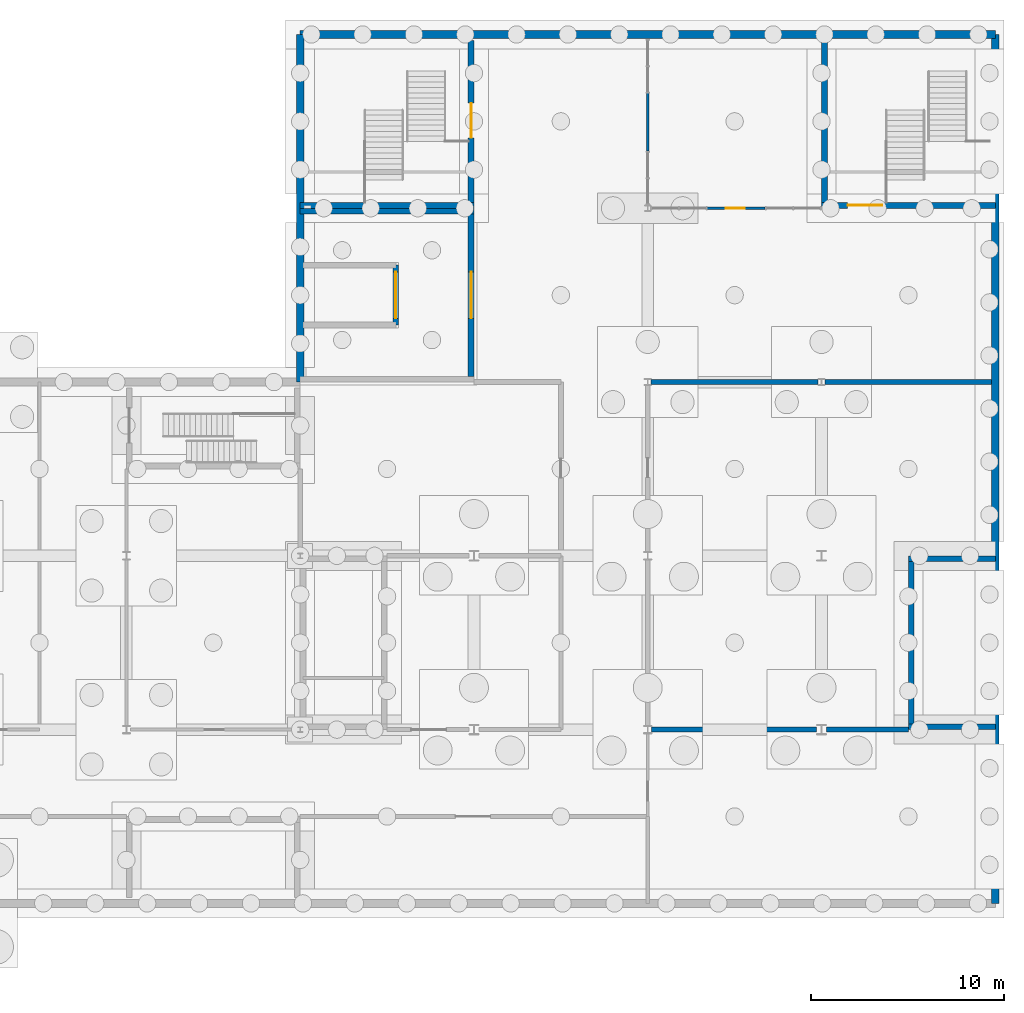
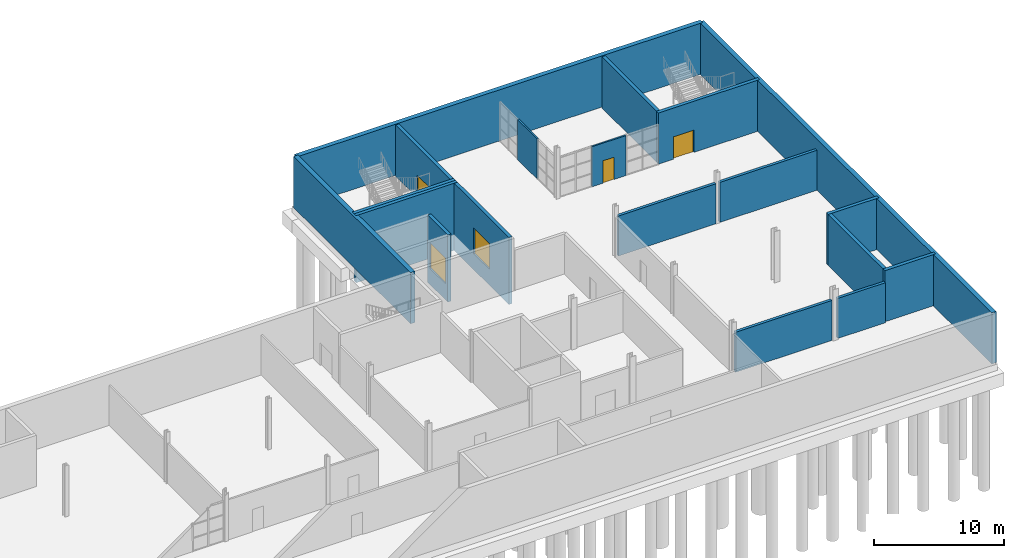
# One storey, part 13 of 17: 19 walls, 5 doors, 5 openings.
"""IFC4 building model written with IfcOpenShell, lengths in metres."""

import ifcopenshell
import ifcopenshell.guid

model = None  # the IFC model being written
_history = None  # IfcOwnerHistory: only IFC2X3 demands one
_inside = {}  # id of a spatial element -> (the spatial element, [elements in it])
_under = {}  # id of a project, library or spatial element -> (it, [spatial elements below it])
_declared = {}  # id of a project -> (the project, [libraries it declares])
_typed = {}  # id of a type object -> (the type object, [elements of that type])
_made_of = {}  # id of a material, layer set ... -> (it, [elements and type objects made of it])


def new_model(schema):
    """Start an empty IFC model of exactly this schema.

    Asked for "IFC4X3", IfcOpenShell would pick the latest addendum, in which some entities
    have other attributes; the version numbers below select the first issue.
    IFC2X3 requires an IfcOwnerHistory on every rooted entity: one is made here for all.
    """
    global model, _history
    if schema == "IFC4X3":
        model = ifcopenshell.file(schema_version=(4, 3, 0, 0))
    else:
        model = ifcopenshell.file(schema=schema)
    _inside.clear()
    _under.clear()
    _declared.clear()
    _typed.clear()
    _made_of.clear()
    _history = None
    if model.schema == "IFC2X3":
        org = make("IfcOrganization", Name="unknown")
        user = make(
            "IfcPersonAndOrganization",
            ThePerson=make("IfcPerson", FamilyName="unknown"),
            TheOrganization=org,
        )
        app = make(
            "IfcApplication",
            ApplicationDeveloper=org,
            Version="unknown",
            ApplicationFullName="unknown",
            ApplicationIdentifier="unknown",
        )
        _history = make(
            "IfcOwnerHistory",
            OwningUser=user,
            OwningApplication=app,
            ChangeAction="ADDED",
            CreationDate=0,
        )
    return model


def make(cls, **values):
    """One entity of the class cls with the attributes given. An attribute that is None is left unset."""
    return model.create_entity(
        cls, **{name: value for name, value in values.items() if value is not None}
    )


def rooted(cls, **values):
    """An entity with a GlobalId (a new one), such as an element, a storey or a relation."""
    return make(cls, GlobalId=ifcopenshell.guid.new(), OwnerHistory=_history, **values)


def si_unit(unit_type, name, prefix=None):
    """IfcSIUnit, for example si_unit("LENGTHUNIT", "METRE", prefix="MILLI")."""
    return make("IfcSIUnit", UnitType=unit_type, Prefix=prefix, Name=name)


def assignment(units):
    """IfcUnitAssignment: the units of a project."""
    return None if units is None else make("IfcUnitAssignment", Units=units)


def point(xyz):
    """IfcCartesianPoint."""
    return None if xyz is None else make("IfcCartesianPoint", Coordinates=xyz)


def direction(xyz):
    """IfcDirection."""
    return None if xyz is None else make("IfcDirection", DirectionRatios=xyz)


def frame(location, z_axis=None, x_axis=None):
    """IfcAxis2Placement3D, a coordinate frame: its origin and axes. An axis left out is left unset."""
    return make(
        "IfcAxis2Placement3D",
        Location=point(location),
        Axis=direction(z_axis),
        RefDirection=direction(x_axis),
    )


def frame_2d(location, x_axis=None):
    """IfcAxis2Placement2D, a coordinate frame in the plane: its origin and x axis."""
    return make(
        "IfcAxis2Placement2D", Location=point(location), RefDirection=direction(x_axis)
    )


def origin():
    """The frame at (0, 0, 0) with its axes left unset."""
    return frame((0.0, 0.0, 0.0))


def place(relative_to, where):
    """IfcLocalPlacement: puts the frame where relative to a parent placement (None: the world)."""
    return make(
        "IfcLocalPlacement", PlacementRelTo=relative_to, RelativePlacement=where
    )


def context(
    kind, dimensions, precision=None, world=None, true_north=None, identifier=None
):
    """IfcGeometricRepresentationContext, for example the 3D "Model" context."""
    return make(
        "IfcGeometricRepresentationContext",
        ContextIdentifier=identifier,
        ContextType=kind,
        CoordinateSpaceDimension=dimensions,
        Precision=precision,
        WorldCoordinateSystem=world,
        TrueNorth=true_north,
    )


def subcontext(parent, identifier, kind, view, scale=None):
    """IfcGeometricRepresentationSubContext, for example "Body" below "Model"."""
    return make(
        "IfcGeometricRepresentationSubContext",
        ContextIdentifier=identifier,
        ContextType=kind,
        ParentContext=parent,
        TargetScale=scale,
        TargetView=view,
    )


def project(units=None, contexts=None):
    """IfcProject with its units and contexts."""
    return rooted(
        "IfcProject",
        Name="project",
        RepresentationContexts=contexts,
        UnitsInContext=assignment(units),
    )


def spatial(cls, under=None, at=None, **own):
    """A site, building, storey or space (cls), placed at a placement, below another one or the project."""
    s = rooted(cls, ObjectPlacement=at, **own)
    if under is not None:
        _under.setdefault(under.id(), (under, []))[1].append(s)
    return s


def profile(cls, at=None, kind="AREA", **sizes):
    """A parametric profile (cls). Its sizes go by their IFC names, for example OverallWidth=200.0."""
    return make(cls, ProfileType=kind, Position=at, **sizes)


def rectangle(**sizes):
    """IfcRectangleProfileDef."""
    return profile("IfcRectangleProfileDef", **sizes)


def extrude(swept, where, along, depth):
    """IfcExtrudedAreaSolid: the profile swept, set in the frame where, extruded along a direction by depth."""
    return make(
        "IfcExtrudedAreaSolid",
        SweptArea=swept,
        Position=where,
        ExtrudedDirection=direction(along),
        Depth=depth,
    )


def shape(context_of_items, identifier, shape_type, items):
    """IfcShapeRepresentation: the items that make up one representation, for example the "Body"."""
    return make(
        "IfcShapeRepresentation",
        ContextOfItems=context_of_items,
        RepresentationIdentifier=identifier,
        RepresentationType=shape_type,
        Items=items,
    )


def material(Name=None, Category=None):
    """IfcMaterial."""
    return make("IfcMaterial", Name=Name, Category=Category)


def layer(
    of_material, thickness, ventilated=None, Name=None, Category=None, Priority=None
):
    """IfcMaterialLayer: one layer of a wall or slab, of a material (None: an air gap)."""
    return make(
        "IfcMaterialLayer",
        Material=of_material,
        LayerThickness=thickness,
        IsVentilated=ventilated,
        Name=Name,
        Category=Category,
        Priority=Priority,
    )


def layer_set(layers, Name=None):
    """IfcMaterialLayerSet."""
    return make("IfcMaterialLayerSet", MaterialLayers=layers, LayerSetName=Name)


def made_of(thing, what):
    """Note that an element or type object is made of a material, layer set ...; save() writes the relation."""
    if what is not None:
        _made_of.setdefault(what.id(), (what, []))[1].append(thing)
    return thing


def type_object(cls, material=None, **own):
    """A type object (cls), such as IfcWallType, which elements share."""
    return made_of(rooted(cls, **own), material)


def element(
    cls,
    number,
    at=None,
    inside=None,
    cuts=None,
    type_object=None,
    material=None,
    context=None,
    identifier="Body",
    shape_type=None,
    held_by="IfcProductDefinitionShape",
    body=None,
    shapes=None,
    **own,
):
    """One element of the class cls, such as IfcWall. Its Tag is "e" and its number.

    at: its placement. inside: the storey or other place that contains it. cuts: it is an
    opening in that element (IfcRelVoidsElement). A single representation is given by context,
    identifier, shape_type and body (its items); several are given by shapes. held_by: the class
    of the entity that holds the representations. save() writes the other relations.
    """
    e = rooted(cls, Tag="e%d" % number, ObjectPlacement=at, **own)
    if body is not None:
        shapes = [shape(context, identifier, shape_type, body)]
    if shapes is not None:
        e.Representation = make(held_by, Representations=shapes)
    if inside is not None:
        _inside.setdefault(inside.id(), (inside, []))[1].append(e)
    if cuts is not None:
        rooted(
            "IfcRelVoidsElement", RelatingBuildingElement=cuts, RelatedOpeningElement=e
        )
    if type_object is not None:
        _typed.setdefault(type_object.id(), (type_object, []))[1].append(e)
    return made_of(e, material)


def fill(opening, filler):
    """IfcRelFillsElement: the door or window that sits in an opening."""
    return rooted(
        "IfcRelFillsElement",
        RelatingOpeningElement=opening,
        RelatedBuildingElement=filler,
    )


def aggregate(whole, parts):
    """IfcRelAggregates: a whole, such as a stair, and the parts it consists of."""
    return rooted("IfcRelAggregates", RelatingObject=whole, RelatedObjects=parts)


def save(model, path):
    """Write the relations noted so far, then the file.

    IfcRelAggregates (storeys below a building ...), IfcRelContainedInSpatialStructure (elements
    in a storey), IfcRelDefinesByType, IfcRelAssociatesMaterial and IfcRelDeclares: one each for
    every whole, place, type object, material and project.
    """
    for whole, parts in _under.values():
        aggregate(whole, parts)
    for where, things in _inside.values():
        rooted(
            "IfcRelContainedInSpatialStructure",
            RelatedElements=things,
            RelatingStructure=where,
        )
    for kind, things in _typed.values():
        rooted("IfcRelDefinesByType", RelatedObjects=things, RelatingType=kind)
    for what, things in _made_of.values():
        rooted("IfcRelAssociatesMaterial", RelatedObjects=things, RelatingMaterial=what)
    for by, libraries in _declared.values():
        rooted("IfcRelDeclares", RelatingContext=by, RelatedDefinitions=libraries)
    model.write(path)


model = new_model("IFC4")

# Units and contexts
model_context = context("Model", 3, precision=1e-05, world=origin(), true_north=direction((0.0, 1.0)))
body_context = subcontext(model_context, "Body", "Model", "MODEL_VIEW")
ifc_project = project(units=[si_unit("LENGTHUNIT", "METRE"), si_unit("AREAUNIT", "SQUARE_METRE"), si_unit("VOLUMEUNIT", "CUBIC_METRE"), si_unit("PLANEANGLEUNIT", "RADIAN"), si_unit("MASSUNIT", "GRAM", prefix="KILO")], contexts=[model_context])

# Site, building, storey
site_placement = place(None, origin())
site = spatial("IfcSite", under=ifc_project, at=site_placement, CompositionType="ELEMENT")
building_placement = place(site_placement, origin())
building = spatial("IfcBuilding", under=site, at=building_placement, Name="Halyard Row Museum", CompositionType="ELEMENT")
storey_placement = place(building_placement, frame((0.0, 0.0, -9.60009765625)))
storey = spatial("IfcBuildingStorey", under=building, at=storey_placement, Name="B2", CompositionType="ELEMENT", Elevation=-9.60009765625)

# Walls
ifc_material_1 = material(Name="Concrete 40 MPa", Category="concrete")
ifc_layer_1 = layer(ifc_material_1, 0.25)
ifc_layer_set_1 = layer_set([ifc_layer_1], Name="Concrete 40 MPa")
wall_type_1 = type_object("IfcWallType", Name="Archive wall 250 reinforced concrete", PredefinedType="PARTITIONING", material=ifc_layer_set_1)
wall_1_placement = place(storey_placement, frame((90.199951171875, 27.0, 0.0), z_axis=(0.0, 0.0, 1.0), x_axis=(1.0, 0.0, 0.0)))
element("IfcWall", 1, at=wall_1_placement, inside=storey, type_object=wall_type_1, Name="Partition Conservation Imaging Laboratory / Archive Vault", PredefinedType="PARTITIONING", context=body_context, shape_type="SweptSolid", body=[
    extrude(rectangle(XDim=8.550048828125, YDim=0.25, at=frame_2d((4.27490234375, 0.0))), origin(), (0.0, 0.0, 1.0), 3.758056640625),
])
wall_2_placement = place(storey_placement, frame((99.25, 27.0, 0.0), z_axis=(0.0, 0.0, 1.0), x_axis=(1.0, 0.0, 0.0)))
element("IfcWall", 2, at=wall_2_placement, inside=storey, type_object=wall_type_1, Name="Partition Conservation Imaging Laboratory / Archive Vault", PredefinedType="PARTITIONING", context=body_context, shape_type="SweptSolid", body=[
    extrude(rectangle(XDim=4.25, YDim=0.25, at=frame_2d((2.125, 0.0))), origin(), (0.0, 0.0, 1.0), 3.758056640625),
])
wall_3_placement = place(storey_placement, frame((90.175048828125, 45.0, 0.0), z_axis=(0.0, 0.0, 1.0), x_axis=(1.0, 0.0, 0.0)))
element("IfcWall", 3, at=wall_3_placement, inside=storey, type_object=wall_type_1, Name="Partition Archive Vault / Lower Art Route East", PredefinedType="PARTITIONING", context=body_context, shape_type="SweptSolid", body=[
    extrude(rectangle(XDim=8.64990234375, YDim=0.25, at=frame_2d((4.324951171875, 0.0))), origin(), (0.0, 0.0, 1.0), 3.758056640625),
])
wall_4_placement = place(storey_placement, frame((99.175048828125, 45.0, 0.0), z_axis=(0.0, 0.0, 1.0), x_axis=(1.0, 0.0, 0.0)))
element("IfcWall", 4, at=wall_4_placement, inside=storey, type_object=wall_type_1, Name="Partition Archive Vault / Stair Lobby K5B", PredefinedType="PARTITIONING", context=body_context, shape_type="SweptSolid", body=[
    extrude(rectangle(XDim=8.625, YDim=0.25, at=frame_2d((4.3125, 0.0))), origin(), (0.0, 0.0, 1.0), 3.758056640625),
])
ifc_material_2 = material(Name="Concrete 40 MPa", Category="concrete")
ifc_layer_2 = layer(ifc_material_2, 0.39990234375)
ifc_layer_set_2 = layer_set([ifc_layer_2], Name="Concrete 40 MPa")
wall_type_2 = type_object("IfcWallType", Name="Basement retaining wall", PredefinedType="SOLIDWALL", material=ifc_layer_set_2)
wall_5_placement = place(storey_placement, frame((108.0, 18.0, 0.0), z_axis=(0.0, 0.0, 1.0), x_axis=(0.0, 1.0, 0.0)))
element("IfcWall", 5, at=wall_5_placement, inside=storey, type_object=wall_type_2, Name="Retaining wall B2 E1", PredefinedType="SOLIDWALL", context=body_context, shape_type="SweptSolid", body=[
    extrude(rectangle(XDim=45.0, YDim=0.39990234375, at=frame_2d((22.5, 0.0))), origin(), (0.0, 0.0, 1.0), 4.800048828125),
])
wall_6_placement = place(storey_placement, frame((72.0, 63.0, 0.0), z_axis=(0.0, 0.0, 1.0), x_axis=(1.0, 0.0, 0.0)))
element("IfcWall", 6, at=wall_6_placement, inside=storey, type_object=wall_type_2, Name="Retaining wall B2 S2", PredefinedType="SOLIDWALL", context=body_context, shape_type="SweptSolid", body=[
    extrude(rectangle(XDim=36.0, YDim=0.39990234375, at=frame_2d((18.0, 0.0))), origin(), (0.0, 0.0, 1.0), 4.800048828125),
])
wall_7_placement = place(storey_placement, frame((72.0, 45.0, 0.0), z_axis=(0.0, 0.0, 1.0), x_axis=(0.0, 1.0, 0.0)))
element("IfcWall", 7, at=wall_7_placement, inside=storey, type_object=wall_type_2, Name="Retaining wall B2 W2", PredefinedType="SOLIDWALL", context=body_context, shape_type="SweptSolid", body=[
    extrude(rectangle(XDim=18.0, YDim=0.39990234375, at=frame_2d((9.0, 0.0))), origin(), (0.0, 0.0, 1.0), 4.800048828125),
])
ifc_material_3 = material(Name="Fire-resisting plasterboard on steel studs", Category="steel")
ifc_layer_3 = layer(ifc_material_3, 0.14990234375)
ifc_layer_set_3 = layer_set([ifc_layer_3], Name="Fire-resisting plasterboard on steel studs")
wall_type_3 = type_object("IfcWallType", Name="Compartment wall 150 fire rated", PredefinedType="PARTITIONING", material=ifc_layer_set_3)
wall_8_placement = place(storey_placement, frame((90.0, 56.956787109375, 0.0), z_axis=(0.0, 0.0, 1.0), x_axis=(0.0, 1.0, 0.0)))
element("IfcWall", 8, at=wall_8_placement, inside=storey, type_object=wall_type_3, Name="Partition Stair Lobby K5A / Conservation Laboratory Wet", PredefinedType="PARTITIONING", context=body_context, shape_type="SweptSolid", body=[
    extrude(rectangle(XDim=3.0, YDim=0.14990234375, at=frame_2d((1.5, 0.0))), origin(), (0.0, 0.0, 1.0), 3.758056640625),
])

# Wall, opening, door
wall_9_placement = place(storey_placement, frame((93.07763671875, 54.0, 0.0), z_axis=(0.0, 0.0, 1.0), x_axis=(1.0, 0.0, 0.0)))
wall_9 = element("IfcWall", 9, at=wall_9_placement, inside=storey, type_object=wall_type_3, Name="Partition Lower Art Route East / Conservation Laboratory Wet", PredefinedType="PARTITIONING", context=body_context, shape_type="SweptSolid", body=[
    extrude(rectangle(XDim=3.0, YDim=0.14990234375, at=frame_2d((1.5, 0.0))), origin(), (0.0, 0.0, 1.0), 3.758056640625),
])
opening_1_placement = place(wall_9_placement, frame((0.949951171875, 0.0, 0.0)))
opening_1 = element("IfcOpeningElement", 10, at=opening_1_placement, cuts=wall_9, Name="Opening DB2-015", PredefinedType="OPENING", context=body_context, shape_type="SweptSolid", body=[
    extrude(rectangle(XDim=1.0, YDim=2.10009765625, at=frame_2d((0.5, 1.050048828125))), frame((0.0, 0.0849609375, 0.0), z_axis=(0.0, -1.0, 0.0), x_axis=(1.0, 0.0, 0.0)), (0.0, 0.0, 1.0), 0.169921875),
])
ifc_material_4 = material(Name="Fire-resisting timber door leaf and steel frame", Category="steel")
door_type_1 = type_object("IfcDoorType", Name="Compartment door 1000 x 2100 fire rated", OperationType="NOTDEFINED", PredefinedType="DOOR", material=ifc_material_4)
door_1_placement = place(opening_1_placement, origin())
door_1 = element("IfcDoor", 11, at=door_1_placement, inside=storey, type_object=door_type_1, Name="Door Conservation Laboratory Wet to Lower Art Route East", OperationType="SINGLE_SWING_RIGHT", OverallHeight=2.10009765625, OverallWidth=1.0, PredefinedType="DOOR", context=body_context, shape_type="SweptSolid", body=[
    extrude(rectangle(XDim=1.0, YDim=2.10009765625, at=frame_2d((0.5, 1.050048828125))), frame((0.0, 0.02490234375, 0.0), z_axis=(0.0, -1.0, 0.0), x_axis=(1.0, 0.0, 0.0)), (0.0, 0.0, 1.0), 0.050048828125),
])
fill(opening_1, door_1)

ifc_material_5 = material(Name="Concrete 40 MPa", Category="concrete")
ifc_layer_4 = layer(ifc_material_5, 0.300048828125)
ifc_layer_set_4 = layer_set([ifc_layer_4], Name="Concrete 40 MPa")
wall_type_4 = type_object("IfcWallType", Name="Core wall 300 lift shaft", PredefinedType="SOLIDWALL", material=ifc_layer_set_4)
wall_10_placement = place(storey_placement, frame((80.85009765625, 45.300048828125, -1.5), z_axis=(0.0, 0.0, 1.0), x_axis=(0.0, 1.0, 0.0)))
wall_10 = element("IfcWall", 12, at=wall_10_placement, inside=storey, type_object=wall_type_4, Name="Core wall K8 E B2", PredefinedType="SOLIDWALL", context=body_context, shape_type="SweptSolid", body=[
    extrude(rectangle(XDim=8.39990234375, YDim=0.300048828125, at=frame_2d((4.199951171875, 0.0))), origin(), (0.0, 0.0, 1.0), 6.300048828125),
])
opening_2_placement = place(wall_10_placement, frame((3.0, 0.0, 1.5)))
opening_2 = element("IfcOpeningElement", 13, at=opening_2_placement, cuts=wall_10, Name="Opening DB2-005", PredefinedType="OPENING", context=body_context, shape_type="SweptSolid", body=[
    extrude(rectangle(XDim=2.39990234375, YDim=2.39990234375, at=frame_2d((1.199951171875, 1.199951171875))), frame((0.0, 0.159912109375, 0.0), z_axis=(0.0, -1.0, 0.0), x_axis=(1.0, 0.0, 0.0)), (0.0, 0.0, 1.0), 0.320068359375),
])
ifc_material_6 = material(Name="Timber veneered door leaf and softwood frame", Category="wood")
door_type_2 = type_object("IfcDoorType", Name="Double door 2400 x 2400 gallery fire rated", OperationType="NOTDEFINED", PredefinedType="DOOR", material=ifc_material_6)
door_2_placement = place(opening_2_placement, frame((2.39990234375, 0.0, 0.0), z_axis=(0.0, 0.0, 1.0), x_axis=(-1.0, 0.0, 0.0)))
door_2 = element("IfcDoor", 14, at=door_2_placement, inside=storey, type_object=door_type_2, Name="Goods lobby door K8 B2", OperationType="DOUBLE_DOOR_SINGLE_SWING", OverallHeight=2.39990234375, OverallWidth=2.39990234375, PredefinedType="DOOR", context=body_context, shape_type="SweptSolid", body=[
    extrude(rectangle(XDim=2.39990234375, YDim=2.39990234375, at=frame_2d((1.199951171875, 1.199951171875))), frame((0.0, 0.02490234375, 0.0), z_axis=(0.0, -1.0, 0.0), x_axis=(1.0, 0.0, 0.0)), (0.0, 0.0, 1.0), 0.050048828125),
])
fill(opening_2, door_2)

# Wall
wall_11_placement = place(storey_placement, frame((72.0, 53.85009765625, -1.5), z_axis=(0.0, 0.0, 1.0), x_axis=(1.0, 0.0, 0.0)))
element("IfcWall", 15, at=wall_11_placement, inside=storey, type_object=wall_type_4, Name="Core wall K8 N B2", PredefinedType="SOLIDWALL", context=body_context, shape_type="SweptSolid", body=[
    extrude(rectangle(XDim=9.0, YDim=0.300048828125, at=frame_2d((4.5, 0.0))), origin(), (0.0, 0.0, 1.0), 6.300048828125),
])

# Wall, opening, door
wall_12_placement = place(storey_placement, frame((76.949951171875, 47.949951171875, -1.5), z_axis=(0.0, 0.0, 1.0), x_axis=(0.0, 1.0, 0.0)))
wall_12 = element("IfcWall", 16, at=wall_12_placement, inside=storey, type_object=wall_type_4, Name="Shaft wall GL1 front B2", PredefinedType="SOLIDWALL", context=body_context, shape_type="SweptSolid", body=[
    extrude(rectangle(XDim=3.10009765625, YDim=0.300048828125, at=frame_2d((1.550048828125, 0.0))), origin(), (0.0, 0.0, 1.0), 6.300048828125),
])
opening_3_placement = place(wall_12_placement, frame((0.35009765625, 0.0, 1.5)))
opening_3 = element("IfcOpeningElement", 17, at=opening_3_placement, cuts=wall_12, Name="Opening LDGL1-B2", PredefinedType="OPENING", context=body_context, shape_type="SweptSolid", body=[
    extrude(rectangle(XDim=2.39990234375, YDim=2.39990234375, at=frame_2d((1.199951171875, 1.199951171875))), frame((0.0, 0.159912109375, 0.0), z_axis=(0.0, -1.0, 0.0), x_axis=(1.0, 0.0, 0.0)), (0.0, 0.0, 1.0), 0.320068359375),
])
ifc_material_7 = material(Name="Stainless steel sliding car and landing doors", Category="steel")
door_type_3 = type_object("IfcDoorType", Name="Lift landing door 2400 x 2400", OperationType="SLIDING_TO_LEFT", PredefinedType="DOOR", material=ifc_material_7)
door_3_placement = place(opening_3_placement, origin())
door_3 = element("IfcDoor", 18, at=door_3_placement, inside=storey, type_object=door_type_3, Name="Landing door GL1 B2", OperationType="DOUBLE_DOOR_SLIDING", OverallHeight=2.39990234375, OverallWidth=2.39990234375, PredefinedType="DOOR", context=body_context, shape_type="SweptSolid", body=[
    extrude(rectangle(XDim=2.39990234375, YDim=2.39990234375, at=frame_2d((1.199951171875, 1.199951171875))), frame((0.0, 0.02490234375, 0.0), z_axis=(0.0, -1.0, 0.0), x_axis=(1.0, 0.0, 0.0)), (0.0, 0.0, 1.0), 0.050048828125),
])
fill(opening_3, door_3)

# Walls
ifc_material_8 = material(Name="Concrete 40 MPa", Category="concrete")
ifc_layer_5 = layer(ifc_material_8, 0.300048828125)
ifc_layer_set_5 = layer_set([ifc_layer_5], Name="Concrete 40 MPa")
wall_type_5 = type_object("IfcWallType", Name="Exitway wall 300 reinforced concrete", PredefinedType="SOLIDWALL", material=ifc_layer_set_5)
for number, where, z_axis, x_axis, name in (
    (19, (103.5, 27.14990234375, 0.0), (0.0, 0.0, 1.0), (1.0, 0.0, 0.0), "Core wall K2C S B2"),
    (20, (103.5, 35.85009765625, 0.0), (0.0, 0.0, 1.0), (1.0, 0.0, 0.0), "Core wall K2C N B2"),
):
    element("IfcWall", number, at=place(storey_placement, frame(where, z_axis=z_axis, x_axis=x_axis)), inside=storey, type_object=wall_type_5, Name=name, PredefinedType="SOLIDWALL", context=body_context, shape_type="SweptSolid", body=[
        extrude(rectangle(XDim=4.5, YDim=0.300048828125, at=frame_2d((2.25, 0.0))), origin(), (0.0, 0.0, 1.0), 4.800048828125),
    ])
wall_13_placement = place(storey_placement, frame((103.64990234375, 27.300048828125, 0.0), z_axis=(0.0, 0.0, 1.0), x_axis=(0.0, 1.0, 0.0)))
element("IfcWall", 21, at=wall_13_placement, inside=storey, type_object=wall_type_5, Name="Core wall K2C W B2", PredefinedType="SOLIDWALL", context=body_context, shape_type="SweptSolid", body=[
    extrude(rectangle(XDim=8.39990234375, YDim=0.300048828125, at=frame_2d((4.199951171875, 0.0))), origin(), (0.0, 0.0, 1.0), 4.800048828125),
])
wall_14_placement = place(storey_placement, frame((72.0, 54.14990234375, 0.0), z_axis=(0.0, 0.0, 1.0), x_axis=(1.0, 0.0, 0.0)))
element("IfcWall", 22, at=wall_14_placement, inside=storey, type_object=wall_type_5, Name="Core wall K5A S B2", PredefinedType="SOLIDWALL", context=body_context, shape_type="SweptSolid", body=[
    extrude(rectangle(XDim=9.0, YDim=0.300048828125, at=frame_2d((4.5, 0.0))), origin(), (0.0, 0.0, 1.0), 4.800048828125),
])

# Wall, opening, door
wall_15_placement = place(storey_placement, frame((80.85009765625, 54.300048828125, 0.0), z_axis=(0.0, 0.0, 1.0), x_axis=(0.0, 1.0, 0.0)))
wall_15 = element("IfcWall", 23, at=wall_15_placement, inside=storey, type_object=wall_type_5, Name="Core wall K5A E B2", PredefinedType="SOLIDWALL", context=body_context, shape_type="SweptSolid", body=[
    extrude(rectangle(XDim=8.39990234375, YDim=0.300048828125, at=frame_2d((4.199951171875, 0.0))), origin(), (0.0, 0.0, 1.0), 4.800048828125),
])
opening_4_placement = place(wall_15_placement, frame((3.35009765625, 0.0, 0.0)))
opening_4 = element("IfcOpeningElement", 24, at=opening_4_placement, cuts=wall_15, Name="Opening DB2-003", PredefinedType="OPENING", context=body_context, shape_type="SweptSolid", body=[
    extrude(rectangle(XDim=1.800048828125, YDim=2.10009765625, at=frame_2d((0.89990234375, 1.050048828125))), frame((0.0, 0.159912109375, 0.0), z_axis=(0.0, -1.0, 0.0), x_axis=(1.0, 0.0, 0.0)), (0.0, 0.0, 1.0), 0.320068359375),
])
ifc_material_9 = material(Name="Fire-resisting timber door leaf and steel frame", Category="steel")
door_type_4 = type_object("IfcDoorType", Name="Exitway door 1800 x 2100 fire rated", OperationType="NOTDEFINED", PredefinedType="DOOR", material=ifc_material_9)
door_4_placement = place(opening_4_placement, origin())
door_4 = element("IfcDoor", 25, at=door_4_placement, inside=storey, type_object=door_type_4, Name="Exitway door K5A B2", OperationType="DOUBLE_DOOR_SINGLE_SWING", OverallHeight=2.10009765625, OverallWidth=1.800048828125, PredefinedType="DOOR", context=body_context, shape_type="SweptSolid", body=[
    extrude(rectangle(XDim=1.800048828125, YDim=2.10009765625, at=frame_2d((0.89990234375, 1.050048828125))), frame((0.0, 0.02490234375, 0.0), z_axis=(0.0, -1.0, 0.0), x_axis=(1.0, 0.0, 0.0)), (0.0, 0.0, 1.0), 0.050048828125),
])
fill(opening_4, door_4)

wall_16_placement = place(storey_placement, frame((99.0, 54.14990234375, 0.0), z_axis=(0.0, 0.0, 1.0), x_axis=(1.0, 0.0, 0.0)))
wall_16 = element("IfcWall", 26, at=wall_16_placement, inside=storey, type_object=wall_type_5, Name="Core wall K5B S B2", PredefinedType="SOLIDWALL", context=body_context, shape_type="SweptSolid", body=[
    extrude(rectangle(XDim=9.0, YDim=0.300048828125, at=frame_2d((4.5, 0.0))), origin(), (0.0, 0.0, 1.0), 4.800048828125),
])
opening_5_placement = place(wall_16_placement, frame((1.35009765625, 0.0, 0.0)))
opening_5 = element("IfcOpeningElement", 27, at=opening_5_placement, cuts=wall_16, Name="Opening DB2-004", PredefinedType="OPENING", context=body_context, shape_type="SweptSolid", body=[
    extrude(rectangle(XDim=1.800048828125, YDim=2.10009765625, at=frame_2d((0.89990234375, 1.050048828125))), frame((0.0, 0.159912109375, 0.0), z_axis=(0.0, -1.0, 0.0), x_axis=(1.0, 0.0, 0.0)), (0.0, 0.0, 1.0), 0.320068359375),
])
door_5_placement = place(opening_5_placement, origin())
door_5 = element("IfcDoor", 28, at=door_5_placement, inside=storey, type_object=door_type_4, Name="Exitway door K5B B2", OperationType="DOUBLE_DOOR_SINGLE_SWING", OverallHeight=2.10009765625, OverallWidth=1.800048828125, PredefinedType="DOOR", context=body_context, shape_type="SweptSolid", body=[
    extrude(rectangle(XDim=1.800048828125, YDim=2.10009765625, at=frame_2d((0.89990234375, 1.050048828125))), frame((0.0, 0.02490234375, 0.0), z_axis=(0.0, -1.0, 0.0), x_axis=(1.0, 0.0, 0.0)), (0.0, 0.0, 1.0), 0.050048828125),
])
fill(opening_5, door_5)

# Wall
wall_17_placement = place(storey_placement, frame((99.14990234375, 54.300048828125, 0.0), z_axis=(0.0, 0.0, 1.0), x_axis=(0.0, 1.0, 0.0)))
element("IfcWall", 29, at=wall_17_placement, inside=storey, type_object=wall_type_5, Name="Core wall K5B W B2", PredefinedType="SOLIDWALL", context=body_context, shape_type="SweptSolid", body=[
    extrude(rectangle(XDim=8.39990234375, YDim=0.300048828125, at=frame_2d((4.199951171875, 0.0))), origin(), (0.0, 0.0, 1.0), 4.800048828125),
])

save(model, "model.ifc")
